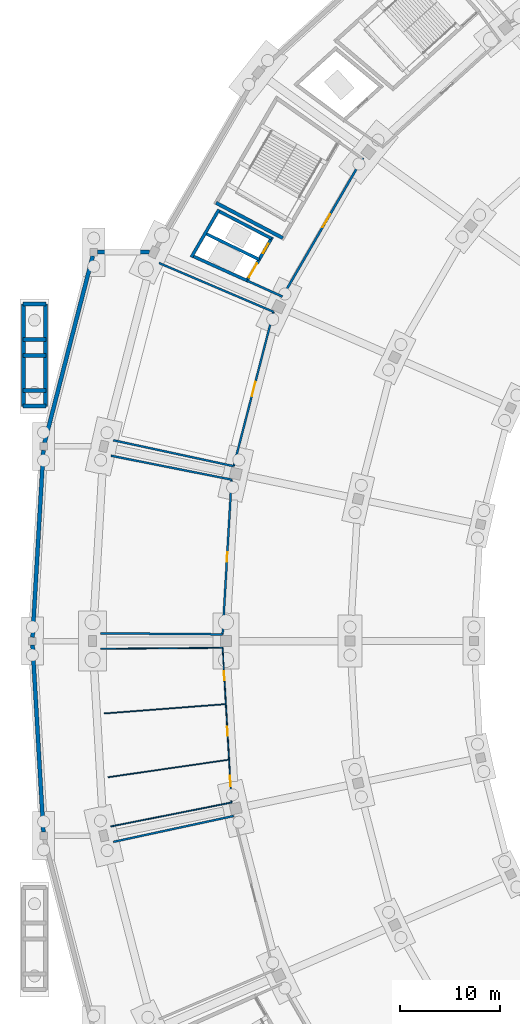
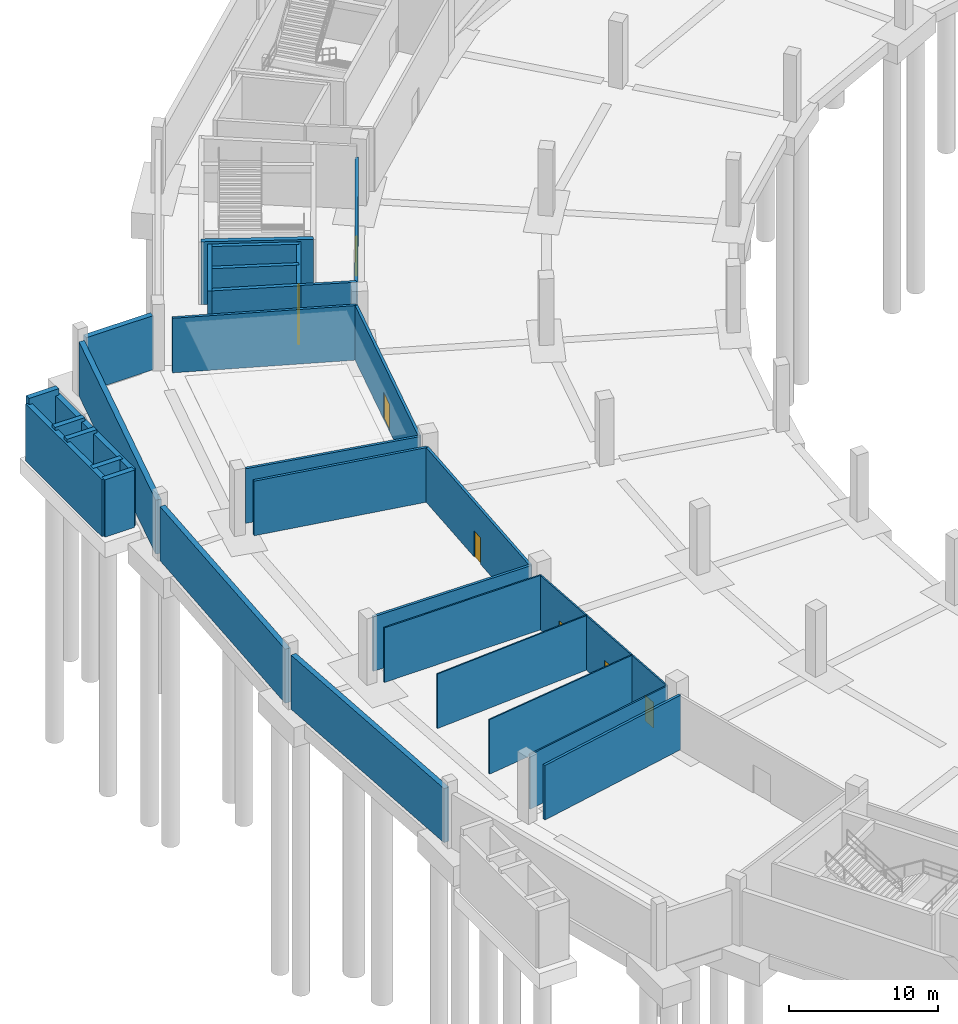
# One storey, part 12 of 49: 31 walls, 8 doors, 8 openings.
"""IFC4 building model written with IfcOpenShell, lengths in metres."""

from ifc_helpers import new_model, si_unit, direction, frame, frame_2d, origin, place, context, subcontext, project, spatial, rectangle, extrude, material, layer, layer_set, type_object, element, fill, save


model = new_model("IFC4")

# Units and contexts
model_context = context("Model", 3, precision=1e-05, world=origin(), true_north=direction((0.0, 1.0)))
body_context = subcontext(model_context, "Body", "Model", "MODEL_VIEW")
ifc_project = project(units=[si_unit("LENGTHUNIT", "METRE"), si_unit("AREAUNIT", "SQUARE_METRE"), si_unit("VOLUMEUNIT", "CUBIC_METRE"), si_unit("PLANEANGLEUNIT", "RADIAN"), si_unit("MASSUNIT", "GRAM", prefix="KILO")], contexts=[model_context])

# Site, building, storey
site_placement = place(None, origin())
site = spatial("IfcSite", under=ifc_project, at=site_placement, CompositionType="ELEMENT")
building_placement = place(site_placement, origin())
building = spatial("IfcBuilding", under=site, at=building_placement, Name="Kazemori Nagisa Stadium", CompositionType="ELEMENT")
storey_placement = place(building_placement, frame((0.0, 0.0, -5.43994140625)))
storey = spatial("IfcBuildingStorey", under=building, at=storey_placement, Name="B1", CompositionType="ELEMENT", Elevation=-5.43994140625)

# Walls
ifc_material_1 = material(Name="Concrete C40/50 (Fc42)", Category="concrete")
ifc_layer_1 = layer(ifc_material_1, 0.39990234375, Name="Concrete C40/50 (Fc42)", Category="concrete")
ifc_layer_set_1 = layer_set([ifc_layer_1], Name="Concrete C40/50 (Fc42)")
wall_type_1 = type_object("IfcWallType", Name="Wall_W-B1-RET-400", PredefinedType="SOLIDWALL", material=ifc_layer_set_1)
wall_1_placement = place(storey_placement, frame((28.02001953125, 140.381591796875, 0.0), z_axis=(0.0, 0.0, 1.0), x_axis=(-0.249965196191, -0.968254822189, 0.0)))
element("IfcWall", 1, at=wall_1_placement, inside=storey, type_object=wall_type_1, Name="Basement perimeter retaining wall B1-13", PredefinedType="SOLIDWALL", context=body_context, shape_type="SweptSolid", body=[
    extrude(rectangle(XDim=19.226318359375, YDim=0.39990234375, at=frame_2d((9.61328125, 0.0))), origin(), (0.0, 0.0, 1.0), 4.419921875),
])
for number, where, z_axis, x_axis, name in (
    (2, (23.097412109375, 121.018310546875, 0.0), (0.0, 0.0, 1.0), (-0.057602801108, -0.998339580155, 0.0), "Basement perimeter retaining wall B1-14"),
    (3, (22.02197265625, 101.62060546875, 0.0), (0.0, 0.0, 1.0), (0.057602801108, -0.998339580155, 0.0), "Basement perimeter retaining wall B1-15"),
):
    element("IfcWall", number, at=place(storey_placement, frame(where, z_axis=z_axis, x_axis=x_axis)), inside=storey, type_object=wall_type_1, Name=name, PredefinedType="SOLIDWALL", context=body_context, shape_type="SweptSolid", body=[
        extrude(rectangle(XDim=18.669921875, YDim=0.39990234375, at=frame_2d((9.3349609375, 0.0))), origin(), (0.0, 0.0, 1.0), 4.419921875),
    ])
wall_2_placement = place(storey_placement, frame((33.675048828125, 140.74951171875, 0.0), z_axis=(0.0, 0.0, 1.0), x_axis=(-1.0, 0.0, 0.0)))
element("IfcWall", 4, at=wall_2_placement, inside=storey, type_object=wall_type_1, Name="West grandstand return wall B1-N", PredefinedType="SOLIDWALL", context=body_context, shape_type="SweptSolid", body=[
    extrude(rectangle(XDim=5.179931640625, YDim=0.39990234375, at=frame_2d((2.58984375, 0.0))), origin(), (0.0, 0.0, 1.0), 4.419921875),
])
for number, where, z_axis, x_axis, name in (
    (5, (21.1171875, 125.37353515625, 0.0), (0.0, 0.0, 1.0), (0.0, 1.0, 0.0), "Boulevard ramp cheek wall RP1-W"),
    (6, (23.317138671875, 125.37353515625, 0.0), (0.0, 0.0, 1.0), (0.0, 1.0, 0.0), "Boulevard ramp cheek wall RP1-E"),
):
    element("IfcWall", number, at=place(storey_placement, frame(where, z_axis=z_axis, x_axis=x_axis)), inside=storey, type_object=wall_type_1, Name=name, PredefinedType="SOLIDWALL", context=body_context, shape_type="SweptSolid", body=[
        extrude(rectangle(XDim=10.2001953125, YDim=0.39990234375, at=frame_2d((5.10009765625, 0.0))), origin(), (0.0, 0.0, 1.0), 4.679931640625),
    ])
for number, where, z_axis, x_axis, name in (
    (7, (21.067138671875, 125.423583984375, 0.0), (0.0, 0.0, 1.0), (1.0, 0.0, 0.0), "Boulevard ramp bearing cross wall RP1-1"),
    (8, (21.067138671875, 126.9736328125, 0.0), (0.0, 0.0, 1.0), (1.0, 0.0, 0.0), "Boulevard ramp bearing cross wall RP1-2"),
):
    element("IfcWall", number, at=place(storey_placement, frame(where, z_axis=z_axis, x_axis=x_axis)), inside=storey, type_object=wall_type_1, Name=name, PredefinedType="SOLIDWALL", context=body_context, shape_type="SweptSolid", body=[
        extrude(rectangle(XDim=2.300048828125, YDim=0.39990234375, at=frame_2d((1.14990234375, 0.0))), origin(), (0.0, 0.0, 1.0), 4.68994140625),
    ])
for number, where, z_axis, x_axis, name in (
    (9, (21.067138671875, 130.4736328125, 0.0), (0.0, 0.0, 1.0), (1.0, 0.0, 0.0), "Boulevard ramp bearing cross wall RP1-3"),
    (10, (21.067138671875, 132.07373046875, 0.0), (0.0, 0.0, 1.0), (1.0, 0.0, 0.0), "Boulevard ramp bearing cross wall RP1-4"),
):
    element("IfcWall", number, at=place(storey_placement, frame(where, z_axis=z_axis, x_axis=x_axis)), inside=storey, type_object=wall_type_1, Name=name, PredefinedType="SOLIDWALL", context=body_context, shape_type="SweptSolid", body=[
        extrude(rectangle(XDim=2.300048828125, YDim=0.39990234375, at=frame_2d((1.14990234375, 0.0))), origin(), (0.0, 0.0, 1.0), 4.93994140625),
    ])
wall_3_placement = place(storey_placement, frame((21.067138671875, 135.57373046875, 0.0), z_axis=(0.0, 0.0, 1.0), x_axis=(1.0, 0.0, 0.0)))
element("IfcWall", 11, at=wall_3_placement, inside=storey, type_object=wall_type_1, Name="Boulevard ramp bearing cross wall RP1-5", PredefinedType="SOLIDWALL", context=body_context, shape_type="SweptSolid", body=[
    extrude(rectangle(XDim=2.300048828125, YDim=0.39990234375, at=frame_2d((1.14990234375, 0.0))), origin(), (0.0, 0.0, 1.0), 5.18994140625),
])
ifc_layer_2 = layer(ifc_material_1, 0.35009765625, Name="Concrete C40/50 (Fc42)", Category="concrete")
ifc_layer_set_2 = layer_set([ifc_layer_2], Name="Concrete C40/50 (Fc42)")
wall_type_2 = type_object("IfcWallType", Name="Wall_W-CORE-350", PredefinedType="SHEAR", material=ifc_layer_set_2)
wall_4_placement = place(storey_placement, frame((46.958251953125, 142.15869140625, 0.0), z_axis=(0.0, 0.0, 1.0), x_axis=(-0.884271552762, 0.466973040952, 0.0)))
element("IfcWall", 12, at=wall_4_placement, inside=storey, type_object=wall_type_2, Name="Core stair right shear wall ST08 B1", PredefinedType="SHEAR", context=body_context, shape_type="SweptSolid", body=[
    extrude(rectangle(XDim=7.51953125, YDim=0.35009765625, at=frame_2d((3.759765625, 0.0))), origin(), (0.0, 0.0, 1.0), 5.139892578125),
])

# Wall, opening, door
ifc_material_2 = material(Name="Concrete C36/45 (Fc36)", Category="concrete")
ifc_layer_3 = layer(ifc_material_2, 0.219970703125, Name="Concrete C36/45 (Fc36)", Category="concrete")
ifc_layer_set_3 = layer_set([ifc_layer_3], Name="Concrete C36/45 (Fc36)")
wall_type_3 = type_object("IfcWallType", Name="Wall_W-LOBBY-220", PredefinedType="SOLIDWALL", material=ifc_layer_set_3)
wall_5_placement = place(storey_placement, frame((54.9443359375, 150.17041015625, 0.0), z_axis=(0.0, 0.0, 1.0), x_axis=(-0.501612626242, -0.865092349518, 0.0)))
wall_5 = element("IfcWall", 13, at=wall_5_placement, inside=storey, type_object=wall_type_3, Name="Core lobby fire wall ST08 B1", PredefinedType="SOLIDWALL", context=body_context, shape_type="SweptSolid", body=[
    extrude(rectangle(XDim=16.110107421875, YDim=0.219970703125, at=frame_2d((8.05517578125, 0.0))), origin(), (0.0, 0.0, 1.0), 4.087890625),
])
opening_1_placement = place(wall_5_placement, frame((6.510986328125, 0.0, 0.0)))
opening_1 = element("IfcOpeningElement", 14, at=opening_1_placement, cuts=wall_5, Name="Opening D-FFL-1500", PredefinedType="OPENING", context=body_context, shape_type="SweptSolid", body=[
    extrude(rectangle(XDim=1.5, YDim=2.199951171875, at=frame_2d((0.75, 1.10009765625))), frame((0.0, 0.119873046875, 0.0), z_axis=(0.0, -1.0, 0.0), x_axis=(1.0, 0.0, 0.0)), (0.0, 0.0, 1.0), 0.239990234375),
])
ifc_material_3 = material(Name="Galvanised steel sheet", Category="steel")
door_type_1 = type_object("IfcDoorType", Name="Door_D-FFL-1500", OperationType="NOTDEFINED", PredefinedType="DOOR", material=ifc_material_3)
door_1_placement = place(opening_1_placement, frame((1.5, 0.0, 0.0), z_axis=(0.0, 0.0, 1.0), x_axis=(-1.0, 0.0, 0.0)))
door_1 = element("IfcDoor", 15, at=door_1_placement, inside=storey, type_object=door_type_1, Name="Protected lobby fire door ST08-B1", OperationType="DOUBLE_DOOR_SINGLE_SWING", OverallHeight=2.199951171875, OverallWidth=1.5, PredefinedType="DOOR", context=body_context, shape_type="SweptSolid", body=[
    extrude(rectangle(XDim=1.5, YDim=2.199951171875, at=frame_2d((0.75, 1.10009765625))), frame((0.0, 0.02490234375, 0.0), z_axis=(0.0, -1.0, 0.0), x_axis=(1.0, 0.0, 0.0)), (0.0, 0.0, 1.0), 0.050048828125),
])
fill(opening_1, door_1)

# Walls
wall_6_placement = place(storey_placement, frame((46.91845703125, 136.328857421875, 0.0), z_axis=(0.0, 0.0, 1.0), x_axis=(-0.91149641055, 0.411308027582, 0.0)))
element("IfcWall", 16, at=wall_6_placement, inside=storey, type_object=wall_type_3, Name="Core lobby right wall ST08 B1", PredefinedType="SOLIDWALL", context=body_context, shape_type="SweptSolid", body=[
    extrude(rectangle(XDim=3.873046875, YDim=0.219970703125, at=frame_2d((1.9365234375, 0.0))), origin(), (0.0, 0.0, 1.0), 5.139892578125),
])
ifc_material_4 = material(Name="High-pressure phenolic compact laminate", Category="gypsum")
ifc_layer_4 = layer(ifc_material_4, 0.10009765625, Name="High-pressure phenolic compact laminate", Category="gypsum")
ifc_layer_set_4 = layer_set([ifc_layer_4], Name="High-pressure phenolic compact laminate")
wall_type_4 = type_object("IfcWallType", Name="Wall_W-PART-100", PredefinedType="PARTITIONING", material=ifc_layer_set_4)
wall_7_placement = place(storey_placement, frame((41.282470703125, 95.717041015625, 0.0), z_axis=(0.0, 0.0, 1.0), x_axis=(-0.997058150978, -0.076648832789, 0.0)))
element("IfcWall", 17, at=wall_7_placement, inside=storey, type_object=wall_type_4, Name="Sanitary divider partition B1-B15-1", PredefinedType="PARTITIONING", context=body_context, shape_type="SweptSolid", body=[
    extrude(rectangle(XDim=12.141845703125, YDim=0.10009765625, at=frame_2d((6.07080078125, 0.0))), origin(), (0.0, 0.0, 1.0), 4.4599609375),
])
wall_8_placement = place(storey_placement, frame((41.601806640625, 90.181884765625, 0.0), z_axis=(0.0, 0.0, 1.0), x_axis=(-0.989621901332, -0.143695832939, 0.0)))
element("IfcWall", 18, at=wall_8_placement, inside=storey, type_object=wall_type_4, Name="Sanitary divider partition B1-B15-2", PredefinedType="PARTITIONING", context=body_context, shape_type="SweptSolid", body=[
    extrude(rectangle(XDim=12.185302734375, YDim=0.10009765625, at=frame_2d((6.0927734375, 0.0))), origin(), (0.0, 0.0, 1.0), 4.4599609375),
])

# Wall, openings, doors
ifc_material_5 = material(Name="Moisture-resistant gypsum board", Category="gypsum")
ifc_layer_5 = layer(ifc_material_5, 0.114990234375, Name="Moisture-resistant gypsum board", Category="gypsum")
ifc_layer_set_5 = layer_set([ifc_layer_5], Name="Moisture-resistant gypsum board")
wall_type_5 = type_object("IfcWallType", Name="Wall_W-PART-115", PredefinedType="PARTITIONING", material=ifc_layer_set_5)
wall_9_placement = place(storey_placement, frame((40.958740234375, 101.32958984375, 0.0), z_axis=(0.0, 0.0, 1.0), x_axis=(0.057603503798, -0.998339539611, 0.0)))
wall_9 = element("IfcWall", 19, at=wall_9_placement, inside=storey, type_object=wall_type_5, Name="Sanitary block corridor partition B1-B15", PredefinedType="PARTITIONING", context=body_context, shape_type="SweptSolid", body=[
    extrude(rectangle(XDim=15.4443359375, YDim=0.114990234375, at=frame_2d((7.72216796875, 0.0))), origin(), (0.0, 0.0, 1.0), 4.4599609375),
])
opening_2_placement = place(wall_9_placement, frame((2.330078125, 0.0, 0.0)))
opening_2 = element("IfcOpeningElement", 20, at=opening_2_placement, cuts=wall_9, Name="Opening D-WC-900", PredefinedType="OPENING", context=body_context, shape_type="SweptSolid", body=[
    extrude(rectangle(XDim=0.89990234375, YDim=2.10009765625, at=frame_2d((0.449951171875, 1.050048828125))), frame((0.0, 0.0673828125, 0.0), z_axis=(0.0, -1.0, 0.0), x_axis=(1.0, 0.0, 0.0)), (0.0, 0.0, 1.0), 0.135009765625),
])
opening_3_placement = place(wall_9_placement, frame((7.889892578125, 0.0, 0.0)))
opening_3 = element("IfcOpeningElement", 21, at=opening_3_placement, cuts=wall_9, Name="Opening D-WC-900", PredefinedType="OPENING", context=body_context, shape_type="SweptSolid", body=[
    extrude(rectangle(XDim=0.89990234375, YDim=2.10009765625, at=frame_2d((0.449951171875, 1.050048828125))), frame((0.0, 0.0673828125, 0.0), z_axis=(0.0, -1.0, 0.0), x_axis=(1.0, 0.0, 0.0)), (0.0, 0.0, 1.0), 0.135009765625),
])
opening_4_placement = place(wall_9_placement, frame((12.757080078125, 0.0, 0.0)))
opening_4 = element("IfcOpeningElement", 22, at=opening_4_placement, cuts=wall_9, Name="Opening D-AWC-1050", PredefinedType="OPENING", context=body_context, shape_type="SweptSolid", body=[
    extrude(rectangle(XDim=1.050048828125, YDim=2.10009765625, at=frame_2d((0.52490234375, 1.050048828125))), frame((0.0, 0.0673828125, 0.0), z_axis=(0.0, -1.0, 0.0), x_axis=(1.0, 0.0, 0.0)), (0.0, 0.0, 1.0), 0.135009765625),
])
ifc_material_6 = material(Name="High-pressure laminate on timber core", Category="wood")
door_type_2 = type_object("IfcDoorType", Name="Door_D-AWC-1050", OperationType="NOTDEFINED", PredefinedType="DOOR", material=ifc_material_6)
door_2_placement = place(opening_4_placement, origin())
door_2 = element("IfcDoor", 23, at=door_2_placement, inside=storey, type_object=door_type_2, Name="AWC entrance door B1-B15", OperationType="SINGLE_SWING_RIGHT", OverallHeight=2.10009765625, OverallWidth=1.050048828125, PredefinedType="DOOR", context=body_context, shape_type="SweptSolid", body=[
    extrude(rectangle(XDim=1.050048828125, YDim=2.10009765625, at=frame_2d((0.52490234375, 1.050048828125))), frame((0.0, 0.02490234375, 0.0), z_axis=(0.0, -1.0, 0.0), x_axis=(1.0, 0.0, 0.0)), (0.0, 0.0, 1.0), 0.050048828125),
])
fill(opening_4, door_2)
door_type_3 = type_object("IfcDoorType", Name="Door_D-WC-900", OperationType="NOTDEFINED", PredefinedType="DOOR", material=ifc_material_6)
door_3_placement = place(opening_2_placement, origin())
door_3 = element("IfcDoor", 24, at=door_3_placement, inside=storey, type_object=door_type_3, Name="MWC entrance door B1-B15", OperationType="SINGLE_SWING_RIGHT", OverallHeight=2.10009765625, OverallWidth=0.89990234375, PredefinedType="DOOR", context=body_context, shape_type="SweptSolid", body=[
    extrude(rectangle(XDim=0.89990234375, YDim=2.10009765625, at=frame_2d((0.449951171875, 1.050048828125))), frame((0.0, 0.02490234375, 0.0), z_axis=(0.0, -1.0, 0.0), x_axis=(1.0, 0.0, 0.0)), (0.0, 0.0, 1.0), 0.050048828125),
])
fill(opening_2, door_3)
door_4_placement = place(opening_3_placement, origin())
door_4 = element("IfcDoor", 25, at=door_4_placement, inside=storey, type_object=door_type_3, Name="FWC entrance door B1-B15", OperationType="SINGLE_SWING_LEFT", OverallHeight=2.10009765625, OverallWidth=0.89990234375, PredefinedType="DOOR", context=body_context, shape_type="SweptSolid", body=[
    extrude(rectangle(XDim=0.89990234375, YDim=2.10009765625, at=frame_2d((0.449951171875, 1.050048828125))), frame((0.0, 0.02490234375, 0.0), z_axis=(0.0, -1.0, 0.0), x_axis=(1.0, 0.0, 0.0)), (0.0, 0.0, 1.0), 0.050048828125),
])
fill(opening_3, door_4)

# Walls
wall_10_placement = place(storey_placement, frame((40.958740234375, 101.32958984375, 0.0), z_axis=(0.0, 0.0, 1.0), x_axis=(-0.999966583768, -0.008175044183, 0.0)))
element("IfcWall", 26, at=wall_10_placement, inside=storey, type_object=wall_type_5, Name="Sanitary block L partition B1-B15", PredefinedType="PARTITIONING", context=body_context, shape_type="SweptSolid", body=[
    extrude(rectangle(XDim=12.15478515625, YDim=0.114990234375, at=frame_2d((6.077392578125, 0.0))), origin(), (0.0, 0.0, 1.0), 4.4599609375),
])
wall_11_placement = place(storey_placement, frame((41.848388671875, 85.910888671875, 0.0), z_axis=(0.0, 0.0, 1.0), x_axis=(-0.980904167784, -0.194491680088, 0.0)))
element("IfcWall", 27, at=wall_11_placement, inside=storey, type_object=wall_type_5, Name="Sanitary block R partition B1-B15", PredefinedType="PARTITIONING", context=body_context, shape_type="SweptSolid", body=[
    extrude(rectangle(XDim=12.256591796875, YDim=0.114990234375, at=frame_2d((6.12841796875, 0.0))), origin(), (0.0, 0.0, 1.0), 4.4599609375),
])

# Wall, opening, door
ifc_material_7 = material(Name="Autoclaved aerated concrete blockwork", Category="masonry")
ifc_layer_6 = layer(ifc_material_7, 0.199951171875, Name="Autoclaved aerated concrete blockwork", Category="masonry")
ifc_layer_set_6 = layer_set([ifc_layer_6], Name="Autoclaved aerated concrete blockwork")
wall_type_6 = type_object("IfcWallType", Name="Wall_W-PART-200", PredefinedType="PARTITIONING", material=ifc_layer_set_6)
wall_12_placement = place(storey_placement, frame((46.03076171875, 134.810791015625, 0.0), z_axis=(0.0, 0.0, 1.0), x_axis=(-0.249970043824, -0.968253570709, 0.0)))
wall_12 = element("IfcWall", 28, at=wall_12_placement, inside=storey, type_object=wall_type_6, Name="Room corridor partition B1-B13", PredefinedType="PARTITIONING", context=body_context, shape_type="SweptSolid", body=[
    extrude(rectangle(XDim=15.88671875, YDim=0.199951171875, at=frame_2d((7.943359375, 0.0))), origin(), (0.0, 0.0, 1.0), 4.4599609375),
])
opening_5_placement = place(wall_12_placement, frame((7.218017578125, 0.0, 0.0)))
opening_5 = element("IfcOpeningElement", 29, at=opening_5_placement, cuts=wall_12, Name="Opening D-CHG-1450", PredefinedType="OPENING", context=body_context, shape_type="SweptSolid", body=[
    extrude(rectangle(XDim=1.449951171875, YDim=2.199951171875, at=frame_2d((0.72509765625, 1.10009765625))), frame((0.0, 0.10986328125, 0.0), z_axis=(0.0, -1.0, 0.0), x_axis=(1.0, 0.0, 0.0)), (0.0, 0.0, 1.0), 0.219970703125),
])
door_type_4 = type_object("IfcDoorType", Name="Door_D-CHG-1450", OperationType="NOTDEFINED", PredefinedType="DOOR", material=ifc_material_3)
door_5_placement = place(opening_5_placement, origin())
door_5 = element("IfcDoor", 30, at=door_5_placement, inside=storey, type_object=door_type_4, Name="Room entrance door D-CHG-1450 B1-B13", OperationType="SINGLE_SWING_RIGHT", OverallHeight=2.199951171875, OverallWidth=1.449951171875, PredefinedType="DOOR", context=body_context, shape_type="SweptSolid", body=[
    extrude(rectangle(XDim=1.449951171875, YDim=2.199951171875, at=frame_2d((0.72509765625, 1.10009765625))), frame((0.0, 0.02490234375, 0.0), z_axis=(0.0, -1.0, 0.0), x_axis=(1.0, 0.0, 0.0)), (0.0, 0.0, 1.0), 0.050048828125),
])
fill(opening_5, door_5)

# Walls
wall_13_placement = place(storey_placement, frame((46.03076171875, 134.810791015625, 0.0), z_axis=(0.0, 0.0, 1.0), x_axis=(-0.919905328402, 0.392140519173, 0.0)))
element("IfcWall", 31, at=wall_13_placement, inside=storey, type_object=wall_type_6, Name="Room radial partition B1-B13-L", PredefinedType="PARTITIONING", context=body_context, shape_type="SweptSolid", body=[
    extrude(rectangle(XDim=12.395751953125, YDim=0.199951171875, at=frame_2d((6.19775390625, 0.0))), origin(), (0.0, 0.0, 1.0), 4.4599609375),
])
wall_14_placement = place(storey_placement, frame((42.0595703125, 119.428466796875, 0.0), z_axis=(0.0, 0.0, 1.0), x_axis=(-0.97759337709, 0.210502230558, 0.0)))
element("IfcWall", 32, at=wall_14_placement, inside=storey, type_object=wall_type_6, Name="Room radial partition B1-B13-R", PredefinedType="PARTITIONING", context=body_context, shape_type="SweptSolid", body=[
    extrude(rectangle(XDim=12.26611328125, YDim=0.199951171875, at=frame_2d((6.133056640625, 0.0))), origin(), (0.0, 0.0, 1.0), 4.4599609375),
])

# Wall, opening, door
wall_15_placement = place(storey_placement, frame((41.848388671875, 118.089111328125, 0.0), z_axis=(0.0, 0.0, 1.0), x_axis=(-0.057603503798, -0.998339539611, 0.0)))
wall_15 = element("IfcWall", 33, at=wall_15_placement, inside=storey, type_object=wall_type_6, Name="Room corridor partition B1-B14", PredefinedType="PARTITIONING", context=body_context, shape_type="SweptSolid", body=[
    extrude(rectangle(XDim=15.4443359375, YDim=0.199951171875, at=frame_2d((7.72216796875, 0.0))), origin(), (0.0, 0.0, 1.0), 4.4599609375),
])
opening_6_placement = place(wall_15_placement, frame((7.23193359375, 0.0, 0.0)))
opening_6 = element("IfcOpeningElement", 34, at=opening_6_placement, cuts=wall_15, Name="Opening D-DOP-980", PredefinedType="OPENING", context=body_context, shape_type="SweptSolid", body=[
    extrude(rectangle(XDim=0.97998046875, YDim=2.14990234375, at=frame_2d((0.489990234375, 1.074951171875))), frame((0.0, 0.10986328125, 0.0), z_axis=(0.0, -1.0, 0.0), x_axis=(1.0, 0.0, 0.0)), (0.0, 0.0, 1.0), 0.219970703125),
])
door_type_5 = type_object("IfcDoorType", Name="Door_D-DOP-980", OperationType="NOTDEFINED", PredefinedType="DOOR", material=ifc_material_3)
door_6_placement = place(opening_6_placement, origin())
door_6 = element("IfcDoor", 35, at=door_6_placement, inside=storey, type_object=door_type_5, Name="Room entrance door D-DOP-980 B1-B14", OperationType="SINGLE_SWING_LEFT", OverallHeight=2.14990234375, OverallWidth=0.97998046875, PredefinedType="DOOR", context=body_context, shape_type="SweptSolid", body=[
    extrude(rectangle(XDim=0.97998046875, YDim=2.14990234375, at=frame_2d((0.489990234375, 1.074951171875))), frame((0.0, 0.02490234375, 0.0), z_axis=(0.0, -1.0, 0.0), x_axis=(1.0, 0.0, 0.0)), (0.0, 0.0, 1.0), 0.050048828125),
])
fill(opening_6, door_6)

# Walls
wall_16_placement = place(storey_placement, frame((41.848388671875, 118.089111328125, 0.0), z_axis=(0.0, 0.0, 1.0), x_axis=(-0.980904167784, 0.194491680088, 0.0)))
element("IfcWall", 36, at=wall_16_placement, inside=storey, type_object=wall_type_6, Name="Room radial partition B1-B14-L", PredefinedType="PARTITIONING", context=body_context, shape_type="SweptSolid", body=[
    extrude(rectangle(XDim=12.256591796875, YDim=0.199951171875, at=frame_2d((6.12841796875, 0.0))), origin(), (0.0, 0.0, 1.0), 4.4599609375),
])
wall_17_placement = place(storey_placement, frame((40.958740234375, 102.67041015625, 0.0), z_axis=(0.0, 0.0, 1.0), x_axis=(-0.999966583768, 0.008175044183, 0.0)))
element("IfcWall", 37, at=wall_17_placement, inside=storey, type_object=wall_type_6, Name="Room radial partition B1-B14-R", PredefinedType="PARTITIONING", context=body_context, shape_type="SweptSolid", body=[
    extrude(rectangle(XDim=12.15478515625, YDim=0.199951171875, at=frame_2d((6.077392578125, 0.0))), origin(), (0.0, 0.0, 1.0), 4.4599609375),
])
wall_18_placement = place(storey_placement, frame((42.0595703125, 84.571533203125, 0.0), z_axis=(0.0, 0.0, 1.0), x_axis=(-0.97759337709, -0.210502230558, 0.0)))
element("IfcWall", 38, at=wall_18_placement, inside=storey, type_object=wall_type_6, Name="Room radial partition B1-B16-L", PredefinedType="PARTITIONING", context=body_context, shape_type="SweptSolid", body=[
    extrude(rectangle(XDim=12.26611328125, YDim=0.199951171875, at=frame_2d((6.133056640625, 0.0))), origin(), (0.0, 0.0, 1.0), 4.4599609375),
])

# Wall, openings, doors
ifc_layer_7 = layer(ifc_material_1, 0.300048828125, Name="Concrete C40/50 (Fc42)", Category="concrete")
ifc_layer_set_7 = layer_set([ifc_layer_7], Name="Concrete C40/50 (Fc42)")
wall_type_7 = type_object("IfcWallType", Name="Wall_W-SHAFT-300", PredefinedType="SHEAR", material=ifc_layer_set_7)
wall_19_placement = place(storey_placement, frame((45.89990234375, 142.253662109375, 0.0), z_axis=(0.0, 0.0, 1.0), x_axis=(-0.501629534056, -0.86508254552, 0.0)))
wall_19 = element("IfcWall", 39, at=wall_19_placement, inside=storey, type_object=wall_type_7, Name="Lift shaft front wall LP6 B1", PredefinedType="SHEAR", context=body_context, shape_type="SweptSolid", body=[
    extrude(rectangle(XDim=5.157470703125, YDim=0.300048828125, at=frame_2d((2.57861328125, 0.0))), origin(), (0.0, 0.0, 1.0), 5.139892578125),
])
opening_7_placement = place(wall_19_placement, frame((0.76611328125, 0.0, 0.0)))
opening_7 = element("IfcOpeningElement", 40, at=opening_7_placement, cuts=wall_19, Name="Opening LD-PAX", PredefinedType="OPENING", context=body_context, shape_type="SweptSolid", body=[
    extrude(rectangle(XDim=1.10009765625, YDim=2.199951171875, at=frame_2d((0.550048828125, 1.10009765625))), frame((0.0, 0.159912109375, 0.0), z_axis=(0.0, -1.0, 0.0), x_axis=(1.0, 0.0, 0.0)), (0.0, 0.0, 1.0), 0.320068359375),
])
opening_8_placement = place(wall_19_placement, frame((3.0419921875, 0.0, 0.0)))
opening_8 = element("IfcOpeningElement", 41, at=opening_8_placement, cuts=wall_19, Name="Opening LD-GDS", PredefinedType="OPENING", context=body_context, shape_type="SweptSolid", body=[
    extrude(rectangle(XDim=1.60009765625, YDim=2.300048828125, at=frame_2d((0.800048828125, 1.14990234375))), frame((0.0, 0.159912109375, 0.0), z_axis=(0.0, -1.0, 0.0), x_axis=(1.0, 0.0, 0.0)), (0.0, 0.0, 1.0), 0.320068359375),
])
ifc_material_8 = material(Name="Stainless steel SUS304", Category="steel")
door_type_6 = type_object("IfcDoorType", Name="Door_LD-GDS", OperationType="SLIDING_TO_LEFT", PredefinedType="DOOR", material=ifc_material_8)
door_7_placement = place(opening_8_placement, origin())
door_7 = element("IfcDoor", 42, at=door_7_placement, inside=storey, type_object=door_type_6, Name="Lift landing door LG1-B1", OperationType="SLIDING_TO_LEFT", OverallHeight=2.300048828125, OverallWidth=1.60009765625, PredefinedType="DOOR", context=body_context, shape_type="SweptSolid", body=[
    extrude(rectangle(XDim=1.60009765625, YDim=2.300048828125, at=frame_2d((0.800048828125, 1.14990234375))), frame((0.0, 0.02490234375, 0.0), z_axis=(0.0, -1.0, 0.0), x_axis=(1.0, 0.0, 0.0)), (0.0, 0.0, 1.0), 0.050048828125),
])
fill(opening_8, door_7)
door_type_7 = type_object("IfcDoorType", Name="Door_LD-PAX", OperationType="SLIDING_TO_RIGHT", PredefinedType="DOOR", material=ifc_material_8)
door_8_placement = place(opening_7_placement, origin())
door_8 = element("IfcDoor", 43, at=door_8_placement, inside=storey, type_object=door_type_7, Name="Lift landing door LP6-B1", OperationType="SLIDING_TO_RIGHT", OverallHeight=2.199951171875, OverallWidth=1.10009765625, PredefinedType="DOOR", context=body_context, shape_type="SweptSolid", body=[
    extrude(rectangle(XDim=1.10009765625, YDim=2.199951171875, at=frame_2d((0.550048828125, 1.10009765625))), frame((0.0, 0.02490234375, 0.0), z_axis=(0.0, -1.0, 0.0), x_axis=(1.0, 0.0, 0.0)), (0.0, 0.0, 1.0), 0.050048828125),
])
fill(opening_7, door_8)

# Walls
wall_20_placement = place(storey_placement, frame((40.59521484375, 145.01171875, 0.0), z_axis=(0.0, 0.0, 1.0), x_axis=(-0.501630260479, -0.865082124293, 0.0)))
element("IfcWall", 44, at=wall_20_placement, inside=storey, type_object=wall_type_7, Name="Lift shaft B wall LP6 B1", PredefinedType="SHEAR", context=body_context, shape_type="SweptSolid", body=[
    extrude(rectangle(XDim=5.491455078125, YDim=0.300048828125, at=frame_2d((2.74560546875, 0.0))), origin(), (0.0, 0.0, 1.0), 5.139892578125),
])
wall_21_placement = place(storey_placement, frame((45.82470703125, 142.1240234375, 0.0), z_axis=(0.0, 0.0, 1.0), x_axis=(-0.887268274556, 0.461253735992, 0.0)))
element("IfcWall", 45, at=wall_21_placement, inside=storey, type_object=wall_type_7, Name="Lift shaft L wall LP6 B1", PredefinedType="SHEAR", context=body_context, shape_type="SweptSolid", body=[
    extrude(rectangle(XDim=5.97900390625, YDim=0.300048828125, at=frame_2d((2.989501953125, 0.0))), origin(), (0.0, 0.0, 1.0), 5.139892578125),
])
wall_22_placement = place(storey_placement, frame((43.38818359375, 137.921875, 0.0), z_axis=(0.0, 0.0, 1.0), x_axis=(-0.911521602376, 0.41125219562, 0.0)))
element("IfcWall", 46, at=wall_22_placement, inside=storey, type_object=wall_type_7, Name="Lift shaft R wall LP6 B1", PredefinedType="SHEAR", context=body_context, shape_type="SweptSolid", body=[
    extrude(rectangle(XDim=6.003662109375, YDim=0.300048828125, at=frame_2d((3.001953125, 0.0))), origin(), (0.0, 0.0, 1.0), 5.139892578125),
])
wall_23_placement = place(storey_placement, frame((44.6064453125, 140.02294921875, 0.0), z_axis=(0.0, 0.0, 1.0), x_axis=(-0.899759302591, 0.436386522936, 0.0)))
element("IfcWall", 47, at=wall_23_placement, inside=storey, type_object=wall_type_7, Name="Lift shaft divider wall LP6-LG1 B1", PredefinedType="SHEAR", context=body_context, shape_type="SweptSolid", body=[
    extrude(rectangle(XDim=5.989013671875, YDim=0.300048828125, at=frame_2d((2.99462890625, 0.0))), origin(), (0.0, 0.0, 1.0), 5.139892578125),
])

save(model, "model.ifc")
